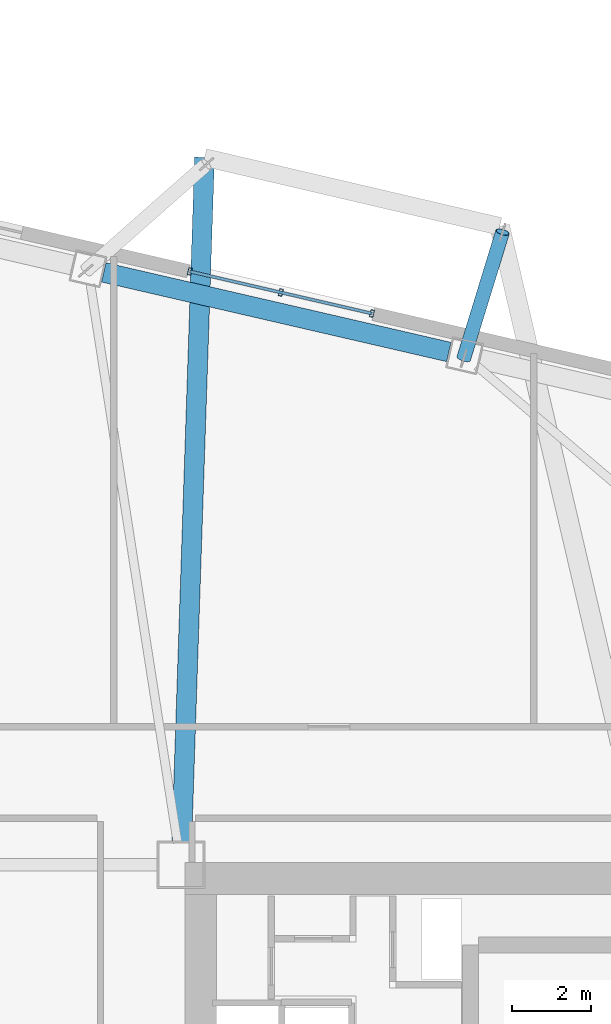
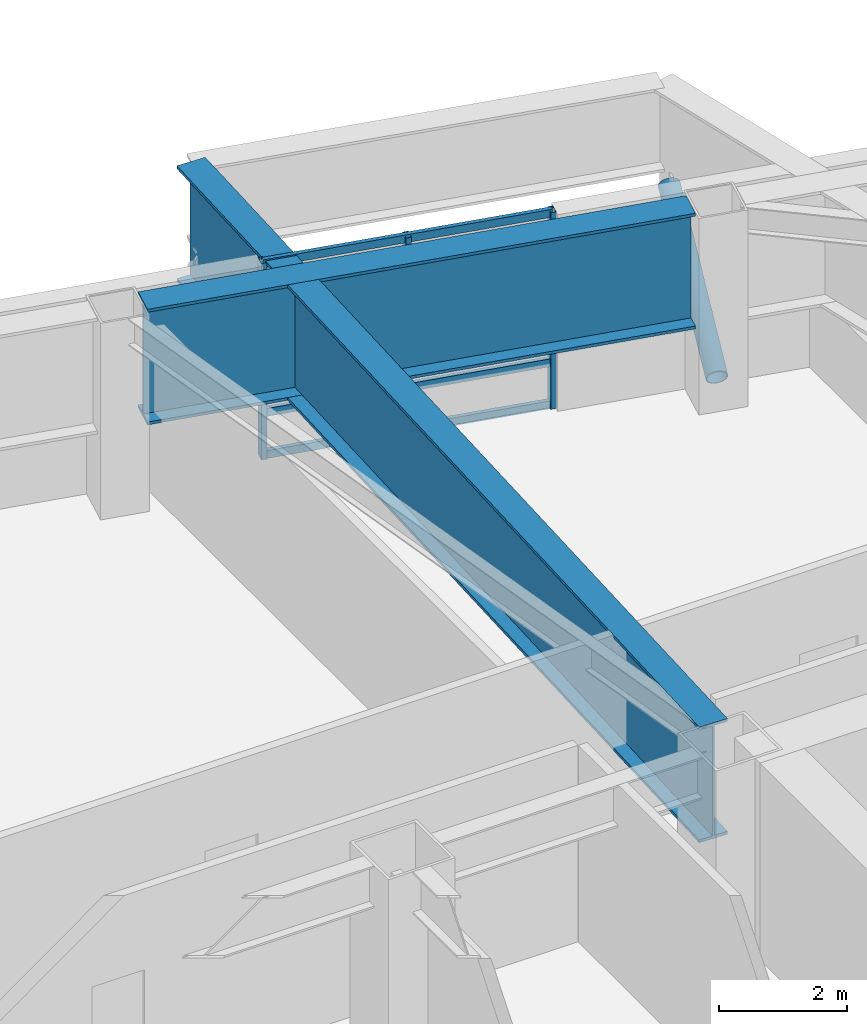
# One storey, part 7 of 21: 7 members, 2 beams, 1 element without a shape of its own.
"""IFC4 building model written with IfcOpenShell, lengths in metres."""

from ifc_helpers import new_model, si_unit, direction, frame, origin, origin_2d, place, context, subcontext, project, spatial, hollow_rectangle, hollow_circle, i_section, extrude, material, layer, layer_set, material_profile, profile_set, type_object, element, aggregate, save


model = new_model("IFC4")

# Units and contexts
model_context = context("Model", 3, precision=1e-05, world=origin(), true_north=direction((0.0, 1.0)))
body_context = subcontext(model_context, "Body", "Model", "MODEL_VIEW")
ifc_project = project(units=[si_unit("LENGTHUNIT", "METRE"), si_unit("AREAUNIT", "SQUARE_METRE"), si_unit("VOLUMEUNIT", "CUBIC_METRE"), si_unit("PLANEANGLEUNIT", "RADIAN"), si_unit("MASSUNIT", "GRAM", prefix="KILO")], contexts=[model_context])

# Site, building, storey
site_placement = place(None, origin())
site = spatial("IfcSite", under=ifc_project, at=site_placement, CompositionType="ELEMENT")
building_placement = place(site_placement, origin())
building = spatial("IfcBuilding", under=site, at=building_placement, Name="Tavrogorsk Clinical Tower", CompositionType="ELEMENT")
storey_placement = place(building_placement, frame((0.0, 0.0, 59.39990234375)))
storey = spatial("IfcBuildingStorey", under=building, at=storey_placement, Name="L12", CompositionType="ELEMENT", Elevation=59.39990234375)

# Curtain wall, members
ifc_material_1 = material(Name="Anodised aluminium and triple IGU glazing", Category="aluminium")
ifc_layer = layer(ifc_material_1, 0.179931640625)
ifc_layer_set = layer_set([ifc_layer], Name="Anodised aluminium and triple IGU glazing")
curtain_wall_type = type_object("IfcCurtainWallType", Name="CW2_NorthSlot", PredefinedType="NOTDEFINED", material=ifc_layer_set)
curtain_wall_placement = place(storey_placement, origin())
curtain_wall = element("IfcCurtainWall", 1, at=curtain_wall_placement, inside=storey, type_object=curtain_wall_type, Name="L12 Curtain Wall CW-L12-N-SLOT-2", PredefinedType="NOTDEFINED")
ifc_material_2 = material(Name="Anodised aluminium alloy AW-6060", Category="aluminium")
ifc_material_profile_1 = material_profile(ifc_material_2, hollow_rectangle(XDim=0.090087890625, YDim=0.179931640625, WallThickness=0.00634765625, at=origin_2d()), Name="RHS-180x90x6.3")
ifc_profile_set_1 = profile_set([ifc_material_profile_1], Name="Anodised aluminium alloy AW-6060")
member_type_1 = type_object("IfcMemberType", Name="CwMullion_180x90", PredefinedType="MULLION", material=ifc_profile_set_1)
member_1_placement = place(storey_placement, frame((15.117919921875, 20.254638671875, 0.0), z_axis=(0.0, 0.0, 1.0), x_axis=(-0.974370046851, 0.224951132027, 0.0)))
member_1 = element("IfcMember", 2, at=member_1_placement, type_object=member_type_1, Name="CW-L12-N-SLOT-2 Mullion 1", PredefinedType="MULLION", context=body_context, shape_type="SweptSolid", body=[
    extrude(hollow_rectangle(XDim=0.090087890625, YDim=0.179931640625, WallThickness=0.00634765625, at=origin_2d()), origin(), (0.0, 0.0, 1.0), 3.739990234375),
])
member_2_placement = place(storey_placement, frame((12.8193359375, 20.78515625, 0.0), z_axis=(0.0, 0.0, 1.0), x_axis=(-0.974370046851, 0.224951132027, 0.0)))
member_2 = element("IfcMember", 3, at=member_2_placement, type_object=member_type_1, Name="CW-L12-N-SLOT-2 Mullion 2", PredefinedType="MULLION", context=body_context, shape_type="SweptSolid", body=[
    extrude(hollow_rectangle(XDim=0.090087890625, YDim=0.179931640625, WallThickness=0.00634765625, at=origin_2d()), origin(), (0.0, 0.0, 1.0), 3.739990234375),
])
member_3_placement = place(storey_placement, frame((10.520751953125, 21.31591796875, 0.0), z_axis=(0.0, 0.0, 1.0), x_axis=(-0.974370046851, 0.224951132027, 0.0)))
member_3 = element("IfcMember", 4, at=member_3_placement, type_object=member_type_1, Name="CW-L12-N-SLOT-2 Mullion 3", PredefinedType="MULLION", context=body_context, shape_type="SweptSolid", body=[
    extrude(hollow_rectangle(XDim=0.090087890625, YDim=0.179931640625, WallThickness=0.00634765625, at=origin_2d()), origin(), (0.0, 0.0, 1.0), 3.739990234375),
])
ifc_material_3 = material(Name="Anodised aluminium alloy AW-6060", Category="aluminium")
ifc_material_profile_2 = material_profile(ifc_material_3, hollow_rectangle(XDim=0.074951171875, YDim=0.14990234375, WallThickness=0.0048828125, at=origin_2d()), Name="RHS-150x75x5")
ifc_profile_set_2 = profile_set([ifc_material_profile_2], Name="Anodised aluminium alloy AW-6060")
member_type_2 = type_object("IfcMemberType", Name="CwTransom_150x75", PredefinedType="USERDEFINED", material=ifc_profile_set_2)
member_4_placement = place(storey_placement, frame((15.117919921875, 20.254638671875, 0.050048828125), z_axis=(-0.974372877948, 0.22493886885, 0.0), x_axis=(-0.22493886885, -0.974372877948, 0.0)))
member_4 = element("IfcMember", 5, at=member_4_placement, type_object=member_type_2, Name="CW-L12-N-SLOT-2 Transom 1", ObjectType="TRANSOM", PredefinedType="USERDEFINED", context=body_context, shape_type="SweptSolid", body=[
    extrude(hollow_rectangle(XDim=0.074951171875, YDim=0.14990234375, WallThickness=0.0048828125, at=origin_2d()), origin(), (0.0, 0.0, 1.0), 4.718017578125),
])
member_5_placement = place(storey_placement, frame((15.117919921875, 20.254638671875, 0.85009765625), z_axis=(-0.974372877948, 0.22493886885, 0.0), x_axis=(-0.22493886885, -0.974372877948, 0.0)))
member_5 = element("IfcMember", 6, at=member_5_placement, type_object=member_type_2, Name="CW-L12-N-SLOT-2 Transom 2", ObjectType="TRANSOM", PredefinedType="USERDEFINED", context=body_context, shape_type="SweptSolid", body=[
    extrude(hollow_rectangle(XDim=0.074951171875, YDim=0.14990234375, WallThickness=0.0048828125, at=origin_2d()), origin(), (0.0, 0.0, 1.0), 4.718017578125),
])
member_6_placement = place(storey_placement, frame((15.117919921875, 20.254638671875, 3.690185546875), z_axis=(-0.974372877948, 0.22493886885, 0.0), x_axis=(-0.22493886885, -0.974372877948, 0.0)))
member_6 = element("IfcMember", 7, at=member_6_placement, type_object=member_type_2, Name="CW-L12-N-SLOT-2 Transom 3", ObjectType="TRANSOM", PredefinedType="USERDEFINED", context=body_context, shape_type="SweptSolid", body=[
    extrude(hollow_rectangle(XDim=0.074951171875, YDim=0.14990234375, WallThickness=0.0048828125, at=origin_2d()), origin(), (0.0, 0.0, 1.0), 4.718017578125),
])
aggregate(curtain_wall, [member_1, member_2, member_3, member_4, member_5, member_6])

# Member
ifc_material_4 = material(Name="Structural steel S390", Category="steel")
ifc_material_profile_3 = material_profile(ifc_material_4, hollow_circle(Radius=0.177734375, WallThickness=0.01416015625, at=origin_2d()), Name="CHS-355.6x14.2")
ifc_profile_set_3 = profile_set([ifc_material_profile_3], Name="Structural steel S390")
member_type_3 = type_object("IfcMemberType", Name="DayroomStrut_CHS355", PredefinedType="STRUT", material=ifc_profile_set_3)
member_7_placement = place(storey_placement, frame((17.43212890625, 19.121337890625, 0.419189453125), z_axis=(0.270841595119, 0.8812135606, 0.387437080013), x_axis=(-0.955870747285, 0.293787532895, 0.0)))
element("IfcMember", 8, at=member_7_placement, inside=storey, type_object=member_type_3, Name="L13 Day-Room Raking Strut DRB-02-R", PredefinedType="STRUT", context=body_context, shape_type="SweptSolid", body=[
    extrude(hollow_circle(Radius=0.177734375, WallThickness=0.01416015625, at=origin_2d()), origin(), (0.0, 0.0, 1.0), 3.6181640625),
])

# Beams
ifc_material_5 = material(Name="Structural steel S440", Category="steel")
ifc_material_profile_4 = material_profile(ifc_material_5, i_section(OverallWidth=0.5, OverallDepth=2.199951171875, WebThickness=0.035888671875, FlangeThickness=0.054931640625, at=origin_2d()), Name="DK-2200x500x36x55")
ifc_profile_set_4 = profile_set([ifc_material_profile_4], Name="Structural steel S440")
beam_type = type_object("IfcBeamType", Name="TransferGirder_DK2200", PredefinedType="USERDEFINED", material=ifc_profile_set_4)
beam_1_placement = place(storey_placement, frame((17.056396484375, 19.28369140625, 2.64013671875), z_axis=(-0.974372766602, 0.224939351168, 0.0), x_axis=(-0.224939351168, -0.974372766602, 0.0)))
element("IfcBeam", 9, at=beam_1_placement, inside=storey, type_object=beam_type, Name="L12 Perimeter Spandrel N3-N4", ObjectType="GIRDER", PredefinedType="USERDEFINED", context=body_context, shape_type="SweptSolid", body=[
    extrude(i_section(OverallWidth=0.5, OverallDepth=2.199951171875, WebThickness=0.035888671875, FlangeThickness=0.054931640625, at=origin_2d()), origin(), (0.0, 0.0, 1.0), 8.9326171875),
])
beam_2_placement = place(storey_placement, frame((10.318603515625, 6.90966796875, 2.64013671875), z_axis=(0.033350089606, 0.999443731044, 0.0), x_axis=(-0.999443731044, 0.033350089606, 0.0)))
element("IfcBeam", 10, at=beam_2_placement, inside=storey, type_object=beam_type, Name="L13 Day-Room Base Transfer Girder DRB-02-L", ObjectType="GIRDER", PredefinedType="USERDEFINED", context=body_context, shape_type="SweptSolid", body=[
    extrude(i_section(OverallWidth=0.5, OverallDepth=2.199951171875, WebThickness=0.035888671875, FlangeThickness=0.054931640625, at=origin_2d()), origin(), (0.0, 0.0, 1.0), 17.291015625),
])

save(model, "model.ifc")
